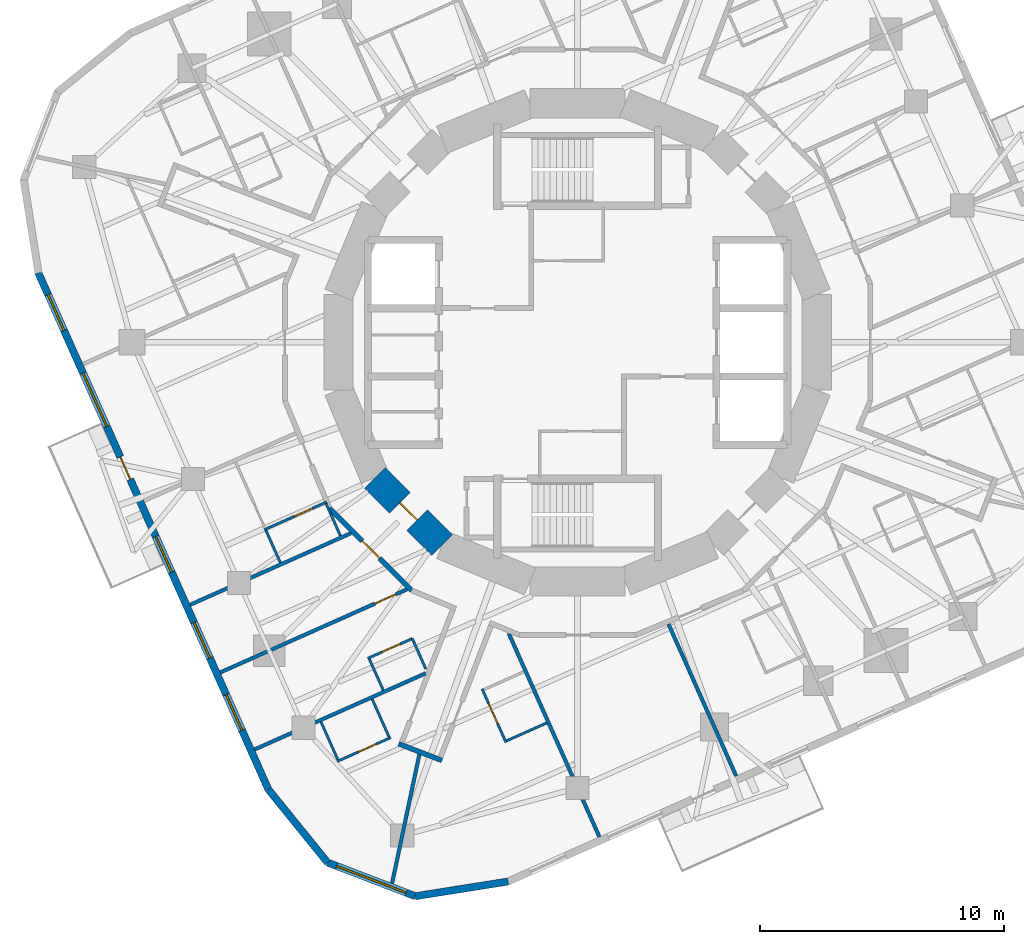
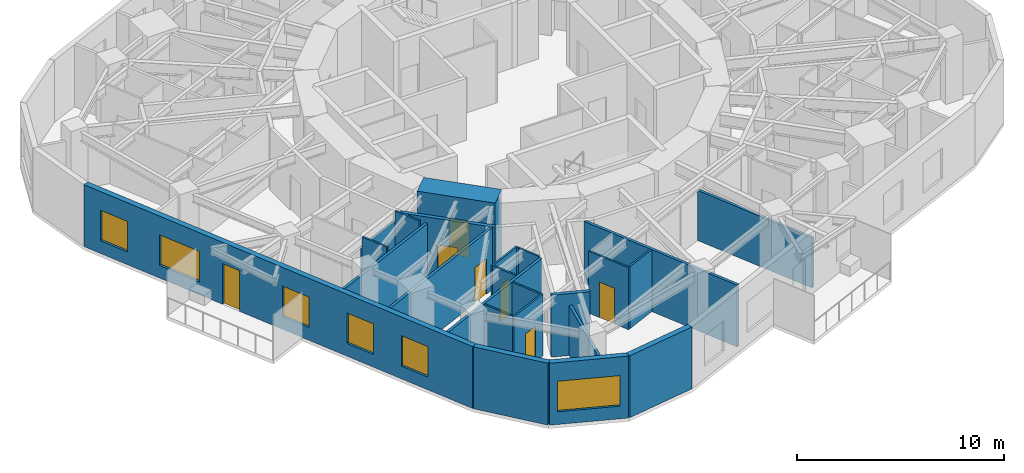
# One storey, part 4 of 12: 25 walls, 8 doors, 6 windows, 14 openings.
"""IFC4 building model written with IfcOpenShell, lengths in metres."""

from ifc_helpers import new_model, si_unit, direction, frame, frame_2d, origin, place, context, subcontext, project, spatial, rectangle, extrude, material, layer, layer_set, type_object, element, fill, save


model = new_model("IFC4")

# Units and contexts
model_context = context("Model", 3, precision=1e-05, world=origin(), true_north=direction((0.0, 1.0)))
body_context = subcontext(model_context, "Body", "Model", "MODEL_VIEW")
ifc_project = project(units=[si_unit("LENGTHUNIT", "METRE"), si_unit("AREAUNIT", "SQUARE_METRE"), si_unit("VOLUMEUNIT", "CUBIC_METRE"), si_unit("PLANEANGLEUNIT", "RADIAN"), si_unit("MASSUNIT", "GRAM", prefix="KILO")], contexts=[model_context])

# Site, building, storey
site_placement = place(None, origin())
site = spatial("IfcSite", under=ifc_project, at=site_placement, CompositionType="ELEMENT")
building_placement = place(site_placement, origin())
building = spatial("IfcBuilding", under=site, at=building_placement, Name="Nakasero Lantern House", CompositionType="ELEMENT")
storey_placement = place(building_placement, frame((0.0, 0.0, 186.300048828125)))
storey = spatial("IfcBuildingStorey", under=building, at=storey_placement, Name="L45", CompositionType="ELEMENT", Elevation=186.300048828125)

# Wall, opening, door
ifc_material_1 = material(Name="Concrete C50/60", Category="concrete")
ifc_layer_1 = layer(ifc_material_1, 1.199951171875)
ifc_layer_set_1 = layer_set([ifc_layer_1], Name="Core wall 1200")
wall_type_1 = type_object("IfcWallType", Name="Core wall 1200", PredefinedType="SHEAR", material=ifc_layer_set_1)
wall_1_placement = place(storey_placement, frame((-8.314697265625, -5.5556640625, 0.0), z_axis=(0.0, 0.0, 1.0), x_axis=(0.707106781187, -0.707106781187, 0.0)))
wall_1 = element("IfcWall", 1, at=wall_1_placement, inside=storey, type_object=wall_type_1, Name="Core wall L45 facet 10", PredefinedType="SHEAR", context=body_context, shape_type="SweptSolid", body=[
    extrude(rectangle(XDim=3.90185546875, YDim=1.199951171875, at=frame_2d((1.950927734375, 0.0))), origin(), (0.0, 0.0, 1.0), 3.849853515625),
])
opening_1_placement = place(wall_1_placement, frame((1.450927734375, 0.0, 0.0)))
opening_1 = element("IfcOpeningElement", 2, at=opening_1_placement, cuts=wall_1, Name="Opening D05", PredefinedType="OPENING", context=body_context, shape_type="SweptSolid", body=[
    extrude(rectangle(XDim=1.0, YDim=2.10009765625, at=frame_2d((0.5, 1.050048828125))), frame((0.0, 0.619873046875, 0.0), z_axis=(0.0, -1.0, 0.0), x_axis=(1.0, 0.0, 0.0)), (0.0, 0.0, 1.0), 1.239990234375),
])
ifc_material_2 = material(Name="Timber C24", Category="wood")
door_type_1 = type_object("IfcDoorType", Name="Core door FD60S 1000", OperationType="SINGLE_SWING_LEFT", PredefinedType="DOOR", material=ifc_material_2)
door_1_placement = place(opening_1_placement, origin())
door_1 = element("IfcDoor", 3, at=door_1_placement, inside=storey, type_object=door_type_1, Name="Door L45 D-CORE10", OperationType="SINGLE_SWING_LEFT", OverallHeight=2.10009765625, OverallWidth=1.0, PredefinedType="DOOR", context=body_context, shape_type="SweptSolid", body=[
    extrude(rectangle(XDim=1.0, YDim=2.10009765625, at=frame_2d((0.5, 1.050048828125))), frame((0.0, 0.02490234375, 0.0), z_axis=(0.0, -1.0, 0.0), x_axis=(1.0, 0.0, 0.0)), (0.0, 0.0, 1.0), 0.050048828125),
])
fill(opening_1, door_1)

ifc_material_3 = material(Name="Blockwork", Category="masonry")
ifc_layer_2 = layer(ifc_material_3, 0.199951171875)
ifc_layer_set_2 = layer_set([ifc_layer_2], Name="Corridor wall 200")
wall_type_2 = type_object("IfcWallType", Name="Corridor wall 200", PredefinedType="PARTITIONING", material=ifc_layer_set_2)
wall_2_placement = place(storey_placement, frame((-6.802001953125, -10.1796875, 0.0), z_axis=(0.0, 0.0, 1.0), x_axis=(-0.707106781187, 0.707106781187, 0.0)))
wall_2 = element("IfcWall", 4, at=wall_2_placement, inside=storey, type_object=wall_type_2, Name="Corridor wall L45 RC06a", PredefinedType="PARTITIONING", context=body_context, shape_type="SweptSolid", body=[
    extrude(rectangle(XDim=4.77685546875, YDim=0.199951171875, at=frame_2d((2.388427734375, 0.0))), origin(), (0.0, 0.0, 1.0), 3.64990234375),
])
opening_2_placement = place(wall_2_placement, frame((1.8701171875, 0.0, 0.0)))
opening_2 = element("IfcOpeningElement", 5, at=opening_2_placement, cuts=wall_2, Name="Opening D14", PredefinedType="OPENING", context=body_context, shape_type="SweptSolid", body=[
    extrude(rectangle(XDim=1.0, YDim=2.10009765625, at=frame_2d((0.5, 1.050048828125))), frame((0.0, 0.119873046875, 0.0), z_axis=(0.0, -1.0, 0.0), x_axis=(1.0, 0.0, 0.0)), (0.0, 0.0, 1.0), 0.239990234375),
])
ifc_material_4 = material(Name="Timber C24", Category="wood")
door_type_2 = type_object("IfcDoorType", Name="Cluster entrance door FD30S 1000", OperationType="SINGLE_SWING_LEFT", PredefinedType="DOOR", material=ifc_material_4)
door_2_placement = place(opening_2_placement, origin())
door_2 = element("IfcDoor", 6, at=door_2_placement, inside=storey, type_object=door_type_2, Name="Door L45 D2-04", OperationType="SINGLE_SWING_LEFT", OverallHeight=2.10009765625, OverallWidth=1.0, PredefinedType="DOOR", context=body_context, shape_type="SweptSolid", body=[
    extrude(rectangle(XDim=1.0, YDim=2.10009765625, at=frame_2d((0.5, 1.050048828125))), frame((0.0, 0.02490234375, 0.0), z_axis=(0.0, -1.0, 0.0), x_axis=(1.0, 0.0, 0.0)), (0.0, 0.0, 1.0), 0.050048828125),
])
fill(opening_2, door_2)

# Wall
wall_3_placement = place(storey_placement, frame((-7.34033203125, -16.47119140625, 0.0), z_axis=(0.0, 0.0, 1.0), x_axis=(0.933587135733, -0.3583504709, 0.0)))
element("IfcWall", 7, at=wall_3_placement, inside=storey, type_object=wall_type_2, Name="Corridor wall L45 SP2e", PredefinedType="PARTITIONING", context=body_context, shape_type="SweptSolid", body=[
    extrude(rectangle(XDim=1.900146484375, YDim=0.199951171875, at=frame_2d((0.9501953125, 0.0))), origin(), (0.0, 0.0, 1.0), 3.64990234375),
])

# Wall, opening, door
ifc_material_5 = material(Name="Blockwork", Category="masonry")
ifc_layer_3 = layer(ifc_material_5, 0.10009765625)
ifc_layer_set_3 = layer_set([ifc_layer_3], Name="En-suite wall 100")
wall_type_3 = type_object("IfcWallType", Name="En-suite wall 100", PredefinedType="PARTITIONING", material=ifc_layer_set_3)
wall_4_placement = place(storey_placement, frame((-10.29248046875, -6.550048828125, 0.0), z_axis=(0.0, 0.0, 1.0), x_axis=(-0.913534471978, -0.406761316386, 0.0)))
wall_4 = element("IfcWall", 8, at=wall_4_placement, inside=storey, type_object=wall_type_3, Name="En-suite wall L45 ES2-03", PredefinedType="PARTITIONING", context=body_context, shape_type="SweptSolid", body=[
    extrude(rectangle(XDim=2.800048828125, YDim=0.10009765625, at=frame_2d((1.39990234375, 0.0))), origin(), (0.0, 0.0, 1.0), 3.037841796875),
])
opening_3_placement = place(wall_4_placement, frame((0.64990234375, 0.0, 0.0)))
opening_3 = element("IfcOpeningElement", 9, at=opening_3_placement, cuts=wall_4, Name="Opening D02", PredefinedType="OPENING", context=body_context, shape_type="SweptSolid", body=[
    extrude(rectangle(XDim=0.800048828125, YDim=2.10009765625, at=frame_2d((0.39990234375, 1.050048828125))), frame((0.0, 0.070068359375, 0.0), z_axis=(0.0, -1.0, 0.0), x_axis=(1.0, 0.0, 0.0)), (0.0, 0.0, 1.0), 0.14013671875),
])
ifc_material_6 = material(Name="Timber C24", Category="wood")
door_type_3 = type_object("IfcDoorType", Name="En-suite door 800", OperationType="SINGLE_SWING_RIGHT", PredefinedType="DOOR", material=ifc_material_6)
door_3_placement = place(opening_3_placement, origin())
door_3 = element("IfcDoor", 10, at=door_3_placement, inside=storey, type_object=door_type_3, Name="Door L45 DE2-03", OperationType="SINGLE_SWING_LEFT", OverallHeight=2.10009765625, OverallWidth=0.800048828125, PredefinedType="DOOR", context=body_context, shape_type="SweptSolid", body=[
    extrude(rectangle(XDim=0.800048828125, YDim=2.10009765625, at=frame_2d((0.39990234375, 1.050048828125))), frame((0.0, 0.02490234375, 0.0), z_axis=(0.0, -1.0, 0.0), x_axis=(1.0, 0.0, 0.0)), (0.0, 0.0, 1.0), 0.050048828125),
])
fill(opening_3, door_3)

# Walls
wall_5_placement = place(storey_placement, frame((-12.784423828125, -7.71435546875, 0.0), z_axis=(0.0, 0.0, 1.0), x_axis=(0.40682579145, -0.913505761017, 0.0)))
element("IfcWall", 11, at=wall_5_placement, inside=storey, type_object=wall_type_3, Name="En-suite wall L45 EE2-03", PredefinedType="PARTITIONING", context=body_context, shape_type="SweptSolid", body=[
    extrude(rectangle(XDim=1.449951171875, YDim=0.10009765625, at=frame_2d((0.72509765625, 0.0))), origin(), (0.0, 0.0, 1.0), 3.64990234375),
])
wall_6_placement = place(storey_placement, frame((-10.31787109375, -6.615966796875, 0.0), z_axis=(0.0, 0.0, 1.0), x_axis=(0.406763220732, -0.913533624044, 0.0)))
element("IfcWall", 12, at=wall_6_placement, inside=storey, type_object=wall_type_3, Name="En-suite wall L45 EI2-03", PredefinedType="PARTITIONING", context=body_context, shape_type="SweptSolid", body=[
    extrude(rectangle(XDim=1.4501953125, YDim=0.10009765625, at=frame_2d((0.72509765625, 0.0))), origin(), (0.0, 0.0, 1.0), 3.64990234375),
])

# Wall, opening, door
wall_7_placement = place(storey_placement, frame((-6.78125, -12.153564453125, 0.0), z_axis=(0.0, 0.0, 1.0), x_axis=(-0.913529410294, -0.406772684097, 0.0)))
wall_7 = element("IfcWall", 13, at=wall_7_placement, inside=storey, type_object=wall_type_3, Name="En-suite wall L45 ES2-05", PredefinedType="PARTITIONING", context=body_context, shape_type="SweptSolid", body=[
    extrude(rectangle(XDim=1.999755859375, YDim=0.10009765625, at=frame_2d((1.0, 0.0))), origin(), (0.0, 0.0, 1.0), 3.64990234375),
])
opening_4_placement = place(wall_7_placement, frame((0.550048828125, 0.0, 0.0)))
opening_4 = element("IfcOpeningElement", 14, at=opening_4_placement, cuts=wall_7, Name="Opening D02", PredefinedType="OPENING", context=body_context, shape_type="SweptSolid", body=[
    extrude(rectangle(XDim=0.800048828125, YDim=2.10009765625, at=frame_2d((0.39990234375, 1.050048828125))), frame((0.0, 0.070068359375, 0.0), z_axis=(0.0, -1.0, 0.0), x_axis=(1.0, 0.0, 0.0)), (0.0, 0.0, 1.0), 0.14013671875),
])
door_4_placement = place(opening_4_placement, origin())
door_4 = element("IfcDoor", 15, at=door_4_placement, inside=storey, type_object=door_type_3, Name="Door L45 DE2-05", OperationType="SINGLE_SWING_LEFT", OverallHeight=2.10009765625, OverallWidth=0.800048828125, PredefinedType="DOOR", context=body_context, shape_type="SweptSolid", body=[
    extrude(rectangle(XDim=0.800048828125, YDim=2.10009765625, at=frame_2d((0.39990234375, 1.050048828125))), frame((0.0, 0.02490234375, 0.0), z_axis=(0.0, -1.0, 0.0), x_axis=(1.0, 0.0, 0.0)), (0.0, 0.0, 1.0), 0.050048828125),
])
fill(opening_4, door_4)

# Wall
wall_8_placement = place(storey_placement, frame((-8.542236328125, -12.992431640625, 0.0), z_axis=(0.0, 0.0, 1.0), x_axis=(0.406866486472, -0.913487636581, 0.0)))
element("IfcWall", 16, at=wall_8_placement, inside=storey, type_object=wall_type_3, Name="En-suite wall L45 EE2-05", PredefinedType="PARTITIONING", context=body_context, shape_type="SweptSolid", body=[
    extrude(rectangle(XDim=1.39990234375, YDim=0.10009765625, at=frame_2d((0.699951171875, 0.0))), origin(), (0.0, 0.0, 1.0), 3.64990234375),
])

# Wall, opening, door
wall_9_placement = place(storey_placement, frame((-7.66748046875, -16.215087890625, 0.0), z_axis=(0.0, 0.0, 1.0), x_axis=(-0.913530294257, -0.40677069889, 0.0)))
wall_9 = element("IfcWall", 17, at=wall_9_placement, inside=storey, type_object=wall_type_3, Name="En-suite wall L45 ES2-06", PredefinedType="PARTITIONING", context=body_context, shape_type="SweptSolid", body=[
    extrude(rectangle(XDim=2.400146484375, YDim=0.10009765625, at=frame_2d((1.2001953125, 0.0))), origin(), (0.0, 0.0, 1.0), 3.64990234375),
])
opening_5_placement = place(wall_9_placement, frame((0.64990234375, 0.0, 0.0)))
opening_5 = element("IfcOpeningElement", 18, at=opening_5_placement, cuts=wall_9, Name="Opening D02", PredefinedType="OPENING", context=body_context, shape_type="SweptSolid", body=[
    extrude(rectangle(XDim=0.800048828125, YDim=2.10009765625, at=frame_2d((0.39990234375, 1.050048828125))), frame((0.0, 0.070068359375, 0.0), z_axis=(0.0, -1.0, 0.0), x_axis=(1.0, 0.0, 0.0)), (0.0, 0.0, 1.0), 0.14013671875),
])
door_5_placement = place(opening_5_placement, origin())
door_5 = element("IfcDoor", 19, at=door_5_placement, inside=storey, type_object=door_type_3, Name="Door L45 DE2-06", OperationType="SINGLE_SWING_LEFT", OverallHeight=2.10009765625, OverallWidth=0.800048828125, PredefinedType="DOOR", context=body_context, shape_type="SweptSolid", body=[
    extrude(rectangle(XDim=0.800048828125, YDim=2.10009765625, at=frame_2d((0.39990234375, 1.050048828125))), frame((0.0, 0.02490234375, 0.0), z_axis=(0.0, -1.0, 0.0), x_axis=(1.0, 0.0, 0.0)), (0.0, 0.0, 1.0), 0.050048828125),
])
fill(opening_5, door_5)

# Walls
wall_10_placement = place(storey_placement, frame((-10.526123046875, -15.572265625, 0.0), z_axis=(0.0, 0.0, 1.0), x_axis=(0.406724697108, -0.913550776237, 0.0)))
element("IfcWall", 20, at=wall_10_placement, inside=storey, type_object=wall_type_3, Name="En-suite wall L45 EE2-06", PredefinedType="PARTITIONING", context=body_context, shape_type="SweptSolid", body=[
    extrude(rectangle(XDim=1.699951171875, YDim=0.10009765625, at=frame_2d((0.85009765625, 0.0))), origin(), (0.0, 0.0, 1.0), 3.64990234375),
])
wall_11_placement = place(storey_placement, frame((-8.425048828125, -14.63671875, 0.0), z_axis=(0.0, 0.0, 1.0), x_axis=(0.406671340378, -0.91357452948, 0.0)))
element("IfcWall", 21, at=wall_11_placement, inside=storey, type_object=wall_type_3, Name="En-suite wall L45 EI2-06", PredefinedType="PARTITIONING", context=body_context, shape_type="SweptSolid", body=[
    extrude(rectangle(XDim=1.7001953125, YDim=0.10009765625, at=frame_2d((0.85009765625, 0.0))), origin(), (0.0, 0.0, 1.0), 3.64990234375),
])

# Wall, opening, door
wall_12_placement = place(storey_placement, frame((-3.914306640625, -14.2216796875, 0.0), z_axis=(0.0, 0.0, 1.0), x_axis=(0.406723602621, -0.913551263516, 0.0)))
wall_12 = element("IfcWall", 22, at=wall_12_placement, inside=storey, type_object=wall_type_3, Name="En-suite wall L45 ES3-00", PredefinedType="PARTITIONING", context=body_context, shape_type="SweptSolid", body=[
    extrude(rectangle(XDim=2.39990234375, YDim=0.10009765625, at=frame_2d((1.199951171875, 0.0))), origin(), (0.0, 0.0, 1.0), 3.64990234375),
])
opening_6_placement = place(wall_12_placement, frame((0.64990234375, 0.0, 0.0)))
opening_6 = element("IfcOpeningElement", 23, at=opening_6_placement, cuts=wall_12, Name="Opening D16", PredefinedType="OPENING", context=body_context, shape_type="SweptSolid", body=[
    extrude(rectangle(XDim=0.89990234375, YDim=2.10009765625, at=frame_2d((0.449951171875, 1.050048828125))), frame((0.0, 0.070068359375, 0.0), z_axis=(0.0, -1.0, 0.0), x_axis=(1.0, 0.0, 0.0)), (0.0, 0.0, 1.0), 0.14013671875),
])
ifc_material_7 = material(Name="Timber C24", Category="wood")
door_type_4 = type_object("IfcDoorType", Name="Accessible WC door 900", OperationType="SINGLE_SWING_RIGHT", PredefinedType="DOOR", material=ifc_material_7)
door_6_placement = place(opening_6_placement, origin())
door_6 = element("IfcDoor", 24, at=door_6_placement, inside=storey, type_object=door_type_4, Name="Door L45 DE3-00", OperationType="SINGLE_SWING_LEFT", OverallHeight=2.10009765625, OverallWidth=0.89990234375, PredefinedType="DOOR", context=body_context, shape_type="SweptSolid", body=[
    extrude(rectangle(XDim=0.89990234375, YDim=2.10009765625, at=frame_2d((0.449951171875, 1.050048828125))), frame((0.0, 0.02490234375, 0.0), z_axis=(0.0, -1.0, 0.0), x_axis=(1.0, 0.0, 0.0)), (0.0, 0.0, 1.0), 0.050048828125),
])
fill(opening_6, door_6)

# Walls
wall_13_placement = place(storey_placement, frame((-2.912841796875, -16.34814453125, 0.0), z_axis=(0.0, 0.0, 1.0), x_axis=(0.913548502595, 0.406729803932, 0.0)))
element("IfcWall", 25, at=wall_13_placement, inside=storey, type_object=wall_type_3, Name="En-suite wall L45 EE3-00", PredefinedType="PARTITIONING", context=body_context, shape_type="SweptSolid", body=[
    extrude(rectangle(XDim=1.800048828125, YDim=0.10009765625, at=frame_2d((0.89990234375, 0.0))), origin(), (0.0, 0.0, 1.0), 3.64990234375),
])
wall_14_placement = place(storey_placement, frame((-6.225830078125, -13.400634765625, 0.0), z_axis=(0.0, 0.0, 1.0), x_axis=(-0.406739792336, 0.913544055495, 0.0)))
element("IfcWall", 26, at=wall_14_placement, inside=storey, type_object=wall_type_3, Name="En-suite wall L45 EX002", PredefinedType="PARTITIONING", context=body_context, shape_type="SweptSolid", body=[
    extrude(rectangle(XDim=1.205322265625, YDim=0.10009765625, at=frame_2d((0.6025390625, 0.0))), origin(), (0.0, 0.0, 1.0), 3.64990234375),
])
wall_15_placement = place(storey_placement, frame((-6.78125, -12.153564453125, 0.0), z_axis=(0.0, 0.0, 1.0), x_axis=(0.407696311466, -0.913117581485, 0.0)))
element("IfcWall", 27, at=wall_15_placement, inside=storey, type_object=wall_type_3, Name="En-suite wall L45 ES2-05R0", PredefinedType="PARTITIONING", context=body_context, shape_type="SweptSolid", body=[
    extrude(rectangle(XDim=0.159912109375, YDim=0.10009765625, at=frame_2d((0.080078125, 0.0))), origin(), (0.0, 0.0, 1.0), 3.64990234375),
])

# Wall, openings, door, windows
ifc_material_8 = material(Name="Aluminium rainscreen on blockwork", Category="masonry")
ifc_layer_4 = layer(ifc_material_8, 0.300048828125)
ifc_layer_set_4 = layer_set([ifc_layer_4], Name="Facade wall 300")
wall_type_4 = type_object("IfcWallType", Name="Facade wall 300", PredefinedType="SOLIDWALL", material=ifc_layer_set_4)
wall_16_placement = place(storey_placement, frame((-22.12109375, 2.848876953125, 0.0), z_axis=(0.0, 0.0, 1.0), x_axis=(0.406734951338, -0.913546210851, 0.0)))
wall_16 = element("IfcWall", 28, at=wall_16_placement, inside=storey, type_object=wall_type_4, Name="Facade wall L45 FW2S", PredefinedType="SOLIDWALL", context=body_context, shape_type="SweptSolid", body=[
    extrude(rectangle(XDim=23.199951171875, YDim=0.300048828125, at=frame_2d((11.60009765625, 0.0))), origin(), (0.0, 0.0, 1.0), 3.64990234375),
])
opening_7_placement = place(wall_16_placement, frame((0.982421875, 0.0, 0.75)))
opening_7 = element("IfcOpeningElement", 29, at=opening_7_placement, cuts=wall_16, Name="Opening W01", PredefinedType="OPENING", context=body_context, shape_type="SweptSolid", body=[
    extrude(rectangle(XDim=1.60009765625, YDim=1.800048828125, at=frame_2d((0.800048828125, 0.89990234375))), frame((0.0, 0.169921875, 0.0), z_axis=(0.0, -1.0, 0.0), x_axis=(1.0, 0.0, 0.0)), (0.0, 0.0, 1.0), 0.340087890625),
])
opening_8_placement = place(wall_16_placement, frame((11.83984375, 0.0, 0.75)))
opening_8 = element("IfcOpeningElement", 30, at=opening_8_placement, cuts=wall_16, Name="Opening W01", PredefinedType="OPENING", context=body_context, shape_type="SweptSolid", body=[
    extrude(rectangle(XDim=1.60009765625, YDim=1.800048828125, at=frame_2d((0.800048828125, 0.89990234375))), frame((0.0, 0.169921875, 0.0), z_axis=(0.0, -1.0, 0.0), x_axis=(1.0, 0.0, 0.0)), (0.0, 0.0, 1.0), 0.340087890625),
])
opening_9_placement = place(wall_16_placement, frame((15.69140625, 0.0, 0.75)))
opening_9 = element("IfcOpeningElement", 31, at=opening_9_placement, cuts=wall_16, Name="Opening W01", PredefinedType="OPENING", context=body_context, shape_type="SweptSolid", body=[
    extrude(rectangle(XDim=1.60009765625, YDim=1.800048828125, at=frame_2d((0.800048828125, 0.89990234375))), frame((0.0, 0.169921875, 0.0), z_axis=(0.0, -1.0, 0.0), x_axis=(1.0, 0.0, 0.0)), (0.0, 0.0, 1.0), 0.340087890625),
])
opening_10_placement = place(wall_16_placement, frame((18.940185546875, 0.0, 0.75)))
opening_10 = element("IfcOpeningElement", 32, at=opening_10_placement, cuts=wall_16, Name="Opening W01", PredefinedType="OPENING", context=body_context, shape_type="SweptSolid", body=[
    extrude(rectangle(XDim=1.60009765625, YDim=1.800048828125, at=frame_2d((0.800048828125, 0.89990234375))), frame((0.0, 0.169921875, 0.0), z_axis=(0.0, -1.0, 0.0), x_axis=(1.0, 0.0, 0.0)), (0.0, 0.0, 1.0), 0.340087890625),
])
opening_11_placement = place(wall_16_placement, frame((4.500244140625, 0.0, 0.75)))
opening_11 = element("IfcOpeningElement", 33, at=opening_11_placement, cuts=wall_16, Name="Opening W03", PredefinedType="OPENING", context=body_context, shape_type="SweptSolid", body=[
    extrude(rectangle(XDim=2.39990234375, YDim=1.800048828125, at=frame_2d((1.199951171875, 0.89990234375))), frame((0.0, 0.169921875, 0.0), z_axis=(0.0, -1.0, 0.0), x_axis=(1.0, 0.0, 0.0)), (0.0, 0.0, 1.0), 0.340087890625),
])
opening_12_placement = place(wall_16_placement, frame((8.271484375, 0.0, 0.0)))
opening_12 = element("IfcOpeningElement", 34, at=opening_12_placement, cuts=wall_16, Name="Opening D04", PredefinedType="OPENING", context=body_context, shape_type="SweptSolid", body=[
    extrude(rectangle(XDim=1.0, YDim=2.39990234375, at=frame_2d((0.5, 1.199951171875))), frame((0.0, 0.169921875, 0.0), z_axis=(0.0, -1.0, 0.0), x_axis=(1.0, 0.0, 0.0)), (0.0, 0.0, 1.0), 0.340087890625),
])
ifc_material_9 = material(Name="Aluminium 6063-T6 and glass", Category="aluminium")
door_type_5 = type_object("IfcDoorType", Name="Balcony door 1000x2400", OperationType="SINGLE_SWING_RIGHT", PredefinedType="DOOR", material=ifc_material_9)
door_7_placement = place(opening_12_placement, origin())
door_7 = element("IfcDoor", 35, at=door_7_placement, inside=storey, type_object=door_type_5, Name="Balcony door L45 DB2", OperationType="SINGLE_SWING_RIGHT", OverallHeight=2.39990234375, OverallWidth=1.0, PredefinedType="DOOR", context=body_context, shape_type="SweptSolid", body=[
    extrude(rectangle(XDim=1.0, YDim=2.39990234375, at=frame_2d((0.5, 1.199951171875))), frame((0.0, 0.02490234375, 0.0), z_axis=(0.0, -1.0, 0.0), x_axis=(1.0, 0.0, 0.0)), (0.0, 0.0, 1.0), 0.050048828125),
])
fill(opening_12, door_7)
ifc_material_10 = material(Name="Aluminium 6063-T6 and glass", Category="aluminium")
window_type_1 = type_object("IfcWindowType", Name="Bedroom window 1600x1800", PartitioningType="SINGLE_PANEL", PredefinedType="WINDOW", material=ifc_material_10)
window_1_placement = place(opening_7_placement, origin())
window_1 = element("IfcWindow", 36, at=window_1_placement, inside=storey, type_object=window_type_1, Name="Window L45 WN2-00", OverallHeight=1.800048828125, OverallWidth=1.60009765625, PartitioningType="SINGLE_PANEL", PredefinedType="WINDOW", context=body_context, shape_type="SweptSolid", body=[
    extrude(rectangle(XDim=1.60009765625, YDim=1.800048828125, at=frame_2d((0.800048828125, 0.89990234375))), frame((0.0, 0.030029296875, 0.0), z_axis=(0.0, -1.0, 0.0), x_axis=(1.0, 0.0, 0.0)), (0.0, 0.0, 1.0), 0.06005859375),
])
fill(opening_7, window_1)
window_2_placement = place(opening_8_placement, origin())
window_2 = element("IfcWindow", 37, at=window_2_placement, inside=storey, type_object=window_type_1, Name="Window L45 WN2-03", OverallHeight=1.800048828125, OverallWidth=1.60009765625, PartitioningType="SINGLE_PANEL", PredefinedType="WINDOW", context=body_context, shape_type="SweptSolid", body=[
    extrude(rectangle(XDim=1.60009765625, YDim=1.800048828125, at=frame_2d((0.800048828125, 0.89990234375))), frame((0.0, 0.030029296875, 0.0), z_axis=(0.0, -1.0, 0.0), x_axis=(1.0, 0.0, 0.0)), (0.0, 0.0, 1.0), 0.06005859375),
])
fill(opening_8, window_2)
window_3_placement = place(opening_9_placement, origin())
window_3 = element("IfcWindow", 38, at=window_3_placement, inside=storey, type_object=window_type_1, Name="Window L45 WN2-04", OverallHeight=1.800048828125, OverallWidth=1.60009765625, PartitioningType="SINGLE_PANEL", PredefinedType="WINDOW", context=body_context, shape_type="SweptSolid", body=[
    extrude(rectangle(XDim=1.60009765625, YDim=1.800048828125, at=frame_2d((0.800048828125, 0.89990234375))), frame((0.0, 0.030029296875, 0.0), z_axis=(0.0, -1.0, 0.0), x_axis=(1.0, 0.0, 0.0)), (0.0, 0.0, 1.0), 0.06005859375),
])
fill(opening_9, window_3)
window_4_placement = place(opening_10_placement, origin())
window_4 = element("IfcWindow", 39, at=window_4_placement, inside=storey, type_object=window_type_1, Name="Window L45 WN2-05", OverallHeight=1.800048828125, OverallWidth=1.60009765625, PartitioningType="SINGLE_PANEL", PredefinedType="WINDOW", context=body_context, shape_type="SweptSolid", body=[
    extrude(rectangle(XDim=1.60009765625, YDim=1.800048828125, at=frame_2d((0.800048828125, 0.89990234375))), frame((0.0, 0.030029296875, 0.0), z_axis=(0.0, -1.0, 0.0), x_axis=(1.0, 0.0, 0.0)), (0.0, 0.0, 1.0), 0.06005859375),
])
fill(opening_10, window_4)
ifc_material_11 = material(Name="Aluminium 6063-T6 and glass", Category="aluminium")
window_type_2 = type_object("IfcWindowType", Name="Lounge window 2400x1800", PartitioningType="SINGLE_PANEL", PredefinedType="WINDOW", material=ifc_material_11)
window_5_placement = place(opening_11_placement, origin())
window_5 = element("IfcWindow", 40, at=window_5_placement, inside=storey, type_object=window_type_2, Name="Window L45 WK2", OverallHeight=1.800048828125, OverallWidth=2.39990234375, PartitioningType="SINGLE_PANEL", PredefinedType="WINDOW", context=body_context, shape_type="SweptSolid", body=[
    extrude(rectangle(XDim=2.39990234375, YDim=1.800048828125, at=frame_2d((1.199951171875, 0.89990234375))), frame((0.0, 0.030029296875, 0.0), z_axis=(0.0, -1.0, 0.0), x_axis=(1.0, 0.0, 0.0)), (0.0, 0.0, 1.0), 0.06005859375),
])
fill(opening_11, window_5)

# Wall
wall_17_placement = place(storey_placement, frame((-12.684814453125, -18.345458984375, 0.0), z_axis=(0.0, 0.0, 1.0), x_axis=(0.629285642335, -0.777174099125, 0.0)))
element("IfcWall", 41, at=wall_17_placement, inside=storey, type_object=wall_type_4, Name="Facade wall L45 FW2C1", PredefinedType="SOLIDWALL", context=body_context, shape_type="SweptSolid", body=[
    extrude(rectangle(XDim=3.8564453125, YDim=0.300048828125, at=frame_2d((1.92822265625, 0.0))), origin(), (0.0, 0.0, 1.0), 3.64990234375),
])

# Wall, opening, window
wall_18_placement = place(storey_placement, frame((-10.258056640625, -21.342529296875, 0.0), z_axis=(0.0, 0.0, 1.0), x_axis=(0.933598278948, -0.358321438858, 0.0)))
wall_18 = element("IfcWall", 42, at=wall_18_placement, inside=storey, type_object=wall_type_4, Name="Facade wall L45 FW2C2", PredefinedType="SOLIDWALL", context=body_context, shape_type="SweptSolid", body=[
    extrude(rectangle(XDim=3.8564453125, YDim=0.300048828125, at=frame_2d((1.92822265625, 0.0))), origin(), (0.0, 0.0, 1.0), 3.64990234375),
])
opening_13_placement = place(wall_18_placement, frame((0.39990234375, 0.0, 0.75)))
opening_13 = element("IfcOpeningElement", 43, at=opening_13_placement, cuts=wall_18, Name="Opening W230", PredefinedType="OPENING", context=body_context, shape_type="SweptSolid", body=[
    extrude(rectangle(XDim=3.055908203125, YDim=1.800048828125, at=frame_2d((1.52783203125, 0.89990234375))), frame((0.0, 0.169921875, 0.0), z_axis=(0.0, -1.0, 0.0), x_axis=(1.0, 0.0, 0.0)), (0.0, 0.0, 1.0), 0.340087890625),
])
ifc_material_12 = material(Name="Aluminium 6063-T6 and glass", Category="aluminium")
window_type_3 = type_object("IfcWindowType", Name="Corner window 3056x1800", PartitioningType="SINGLE_PANEL", PredefinedType="WINDOW", material=ifc_material_12)
window_6_placement = place(opening_13_placement, origin())
window_6 = element("IfcWindow", 44, at=window_6_placement, inside=storey, type_object=window_type_3, Name="Window L45 WC2", OverallHeight=1.800048828125, OverallWidth=3.055908203125, PartitioningType="SINGLE_PANEL", PredefinedType="WINDOW", context=body_context, shape_type="SweptSolid", body=[
    extrude(rectangle(XDim=3.055908203125, YDim=1.800048828125, at=frame_2d((1.52783203125, 0.89990234375))), frame((0.0, 0.030029296875, 0.0), z_axis=(0.0, -1.0, 0.0), x_axis=(1.0, 0.0, 0.0)), (0.0, 0.0, 1.0), 0.06005859375),
])
fill(opening_13, window_6)

# Walls
wall_19_placement = place(storey_placement, frame((-6.65771484375, -22.724365234375, 0.0), z_axis=(0.0, 0.0, 1.0), x_axis=(0.987687906802, 0.156437203878, 0.0)))
element("IfcWall", 45, at=wall_19_placement, inside=storey, type_object=wall_type_4, Name="Facade wall L45 FW2C3", PredefinedType="SOLIDWALL", context=body_context, shape_type="SweptSolid", body=[
    extrude(rectangle(XDim=3.856201171875, YDim=0.300048828125, at=frame_2d((1.92822265625, 0.0))), origin(), (0.0, 0.0, 1.0), 3.64990234375),
])
ifc_material_13 = material(Name="Blockwork", Category="masonry")
ifc_layer_5 = layer(ifc_material_13, 0.14990234375)
ifc_layer_set_5 = layer_set([ifc_layer_5], Name="Party wall 150")
wall_type_5 = type_object("IfcWallType", Name="Party wall 150", PredefinedType="PARTITIONING", material=ifc_layer_set_5)
wall_20_placement = place(storey_placement, frame((-9.293701171875, -7.829345703125, 0.0), z_axis=(0.0, 0.0, 1.0), x_axis=(-0.913535447493, -0.406759125496, 0.0)))
element("IfcWall", 46, at=wall_20_placement, inside=storey, type_object=wall_type_5, Name="Party wall L45 PW2-04", PredefinedType="PARTITIONING", context=body_context, shape_type="SweptSolid", body=[
    extrude(rectangle(XDim=7.225341796875, YDim=0.14990234375, at=frame_2d((3.61279296875, 0.0))), origin(), (0.0, 0.0, 1.0), 3.294921875),
])

# Wall, opening, door
wall_21_placement = place(storey_placement, frame((-6.99267578125, -10.130615234375, 0.0), z_axis=(0.0, 0.0, 1.0), x_axis=(-0.913547411288, -0.406732255089, 0.0)))
wall_21 = element("IfcWall", 47, at=wall_21_placement, inside=storey, type_object=wall_type_5, Name="Party wall L45 PW2-05", PredefinedType="PARTITIONING", context=body_context, shape_type="SweptSolid", body=[
    extrude(rectangle(XDim=8.3916015625, YDim=0.14990234375, at=frame_2d((4.19580078125, 0.0))), origin(), (0.0, 0.0, 1.0), 3.64990234375),
])
opening_14_placement = place(wall_21_placement, frame((0.5, 0.0, 0.0)))
opening_14 = element("IfcOpeningElement", 48, at=opening_14_placement, cuts=wall_21, Name="Opening D01", PredefinedType="OPENING", context=body_context, shape_type="SweptSolid", body=[
    extrude(rectangle(XDim=0.949951171875, YDim=2.10009765625, at=frame_2d((0.47509765625, 1.050048828125))), frame((0.0, 0.094970703125, 0.0), z_axis=(0.0, -1.0, 0.0), x_axis=(1.0, 0.0, 0.0)), (0.0, 0.0, 1.0), 0.18994140625),
])
ifc_material_14 = material(Name="Timber C24", Category="wood")
door_type_6 = type_object("IfcDoorType", Name="Bedroom door FD30S 950", OperationType="SINGLE_SWING_LEFT", PredefinedType="DOOR", material=ifc_material_14)
door_8_placement = place(opening_14_placement, origin())
door_8 = element("IfcDoor", 49, at=door_8_placement, inside=storey, type_object=door_type_6, Name="Door L45 DS2-05", OperationType="SINGLE_SWING_LEFT", OverallHeight=2.10009765625, OverallWidth=0.949951171875, PredefinedType="DOOR", context=body_context, shape_type="SweptSolid", body=[
    extrude(rectangle(XDim=0.949951171875, YDim=2.10009765625, at=frame_2d((0.47509765625, 1.050048828125))), frame((0.0, 0.02490234375, 0.0), z_axis=(0.0, -1.0, 0.0), x_axis=(1.0, 0.0, 0.0)), (0.0, 0.0, 1.0), 0.050048828125),
])
fill(opening_14, door_8)

# Walls
wall_22_placement = place(storey_placement, frame((-6.2294921875, -13.5771484375, 0.0), z_axis=(0.0, 0.0, 1.0), x_axis=(-0.913546787387, -0.406733656408, 0.0)))
element("IfcWall", 50, at=wall_22_placement, inside=storey, type_object=wall_type_5, Name="Party wall L45 PW2-06", PredefinedType="PARTITIONING", context=body_context, shape_type="SweptSolid", body=[
    extrude(rectangle(XDim=7.686767578125, YDim=0.14990234375, at=frame_2d((3.84326171875, 0.0))), origin(), (0.0, 0.0, 1.0), 3.64990234375),
])
wall_23_placement = place(storey_placement, frame((-6.4892578125, -16.905029296875, 0.0), z_axis=(0.0, 0.0, 1.0), x_axis=(-0.207273681618, -0.97828299633, 0.0)))
element("IfcWall", 51, at=wall_23_placement, inside=storey, type_object=wall_type_5, Name="Party wall L45 PW3-00", PredefinedType="PARTITIONING", context=body_context, shape_type="SweptSolid", body=[
    extrude(rectangle(XDim=5.4052734375, YDim=0.14990234375, at=frame_2d((2.70263671875, 0.0))), origin(), (0.0, 0.0, 1.0), 2.966552734375),
])
wall_24_placement = place(storey_placement, frame((-2.824951171875, -11.935302734375, 0.0), z_axis=(0.0, 0.0, 1.0), x_axis=(0.40672291788, -0.91355156837, 0.0)))
element("IfcWall", 52, at=wall_24_placement, inside=storey, type_object=wall_type_5, Name="Party wall L45 PW3-01", PredefinedType="PARTITIONING", context=body_context, shape_type="SweptSolid", body=[
    extrude(rectangle(XDim=9.1455078125, YDim=0.14990234375, at=frame_2d((4.57275390625, 0.0))), origin(), (0.0, 0.0, 1.0), 3.64990234375),
])
wall_25_placement = place(storey_placement, frame((3.7314453125, -11.559814453125, 0.0), z_axis=(0.0, 0.0, 1.0), x_axis=(0.406739408224, -0.913544226514, 0.0)))
element("IfcWall", 53, at=wall_25_placement, inside=storey, type_object=wall_type_5, Name="Party wall L45 PW3-03", PredefinedType="PARTITIONING", context=body_context, shape_type="SweptSolid", body=[
    extrude(rectangle(XDim=6.82177734375, YDim=0.14990234375, at=frame_2d((3.410888671875, 0.0))), origin(), (0.0, 0.0, 1.0), 2.95703125),
])

save(model, "model.ifc")
